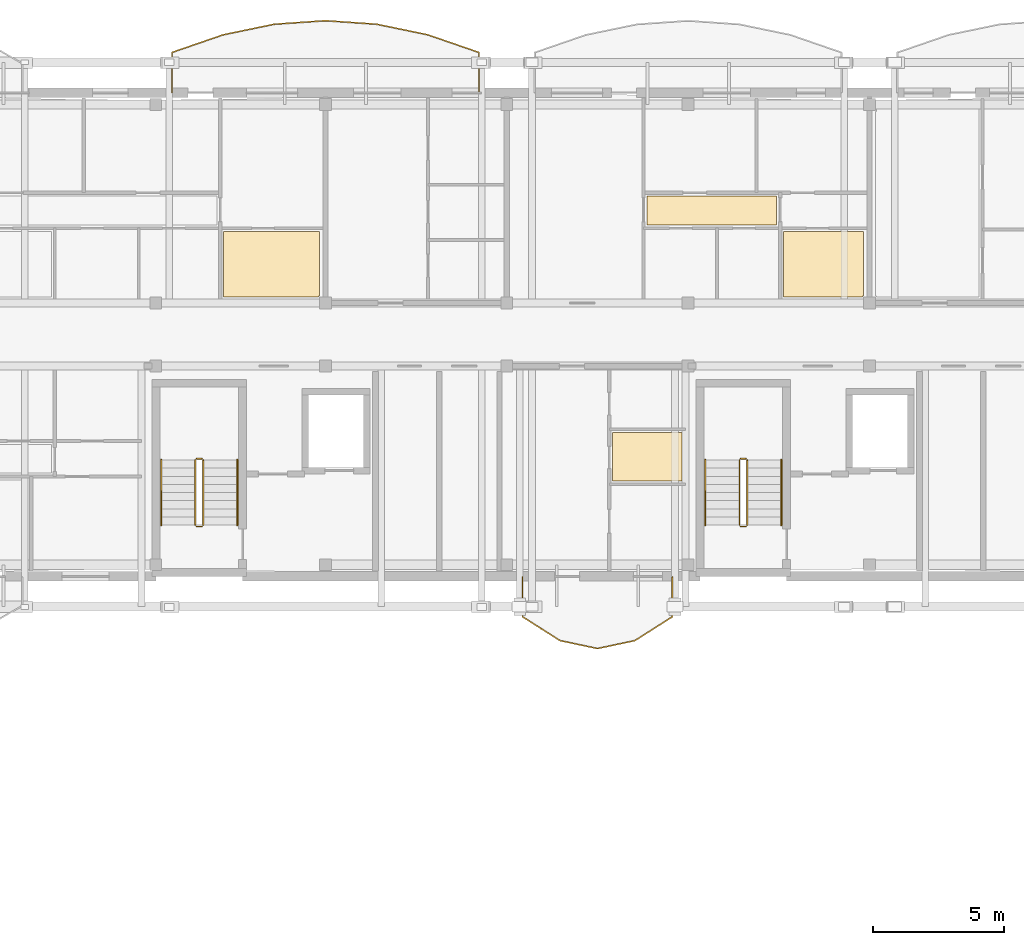
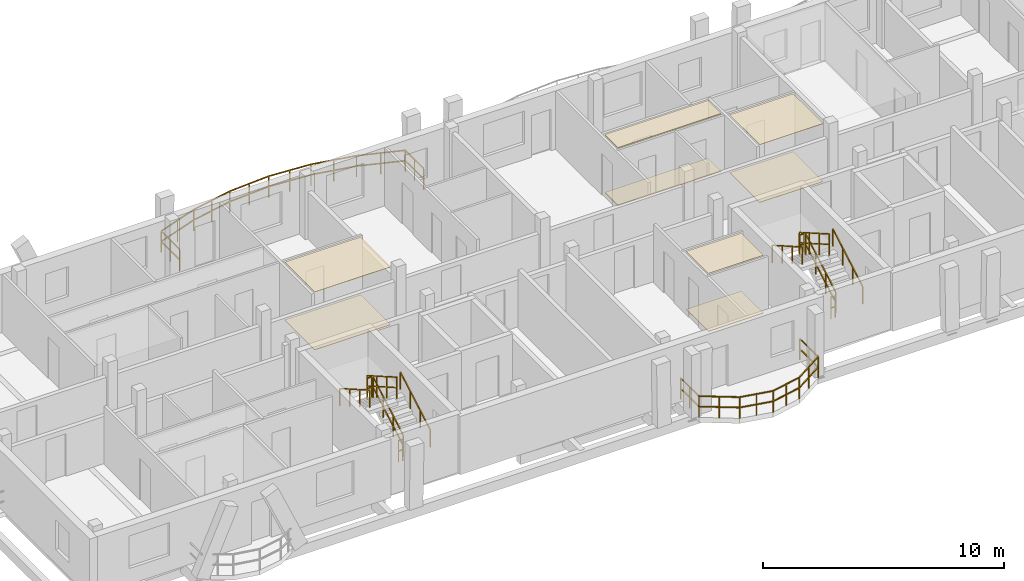
# One storey, part 47 of 48: 14 railings, 8 coverings.
"""IFC4 building model written with IfcOpenShell, lengths in metres."""

from ifc_helpers import new_model, si_unit, direction, frame, origin, origin_2d, place, context, subcontext, project, spatial, polyline, rectangle, outline, extrude, material, layer, layer_set, type_object, element, save


model = new_model("IFC4")

# Units and contexts
model_context = context("Model", 3, precision=1e-05, world=origin(), true_north=direction((0.0, 1.0)))
body_context = subcontext(model_context, "Body", "Model", "MODEL_VIEW")
ifc_project = project(units=[si_unit("LENGTHUNIT", "METRE"), si_unit("AREAUNIT", "SQUARE_METRE"), si_unit("VOLUMEUNIT", "CUBIC_METRE"), si_unit("PLANEANGLEUNIT", "RADIAN"), si_unit("MASSUNIT", "GRAM", prefix="KILO")], contexts=[model_context])

# Site, building, storey
site_placement = place(None, origin())
site = spatial("IfcSite", under=ifc_project, at=site_placement, CompositionType="ELEMENT")
building_placement = place(site_placement, origin())
building = spatial("IfcBuilding", under=site, at=building_placement, Name="Zavelmont Quarter", CompositionType="ELEMENT")
storey_placement = place(building_placement, frame((0.0, 0.0, 17.60009765625)))
storey = spatial("IfcBuildingStorey", under=building, at=storey_placement, Name="L05", CompositionType="ELEMENT", Elevation=17.60009765625)

# Coverings
ifc_material_1 = material(Name="Slatted European ash acoustic baffle ceiling")
ifc_layer_1 = layer(ifc_material_1, 0.0400390625)
ifc_layer_set_1 = layer_set([ifc_layer_1], Name="Slatted European ash acoustic baffle ceiling")
covering_type_1 = type_object("IfcCoveringType", Name="CV-CL02", PredefinedType="CEILING", material=ifc_layer_set_1)
covering_1_placement = place(storey_placement, frame((0.0, 0.0, 2.909912109375)))
element("IfcCovering", 1, at=covering_1_placement, inside=storey, type_object=covering_type_1, Name="L05 Apartment Hall acoustic ceiling", PredefinedType="CEILING", context=body_context, shape_type="SweptSolid", body=[
    extrude(outline(polyline([(145.72998046875, 112.070068359375), (150.669921875, 112.070068359375), (150.669921875, 110.97998046875), (145.72998046875, 110.97998046875), (145.72998046875, 112.070068359375)])), origin(), (0.0, 0.0, 1.0), 0.0400390625),
])
ifc_material_2 = material(Name="Moisture-resistant painted gypsum ceiling")
ifc_layer_2 = layer(ifc_material_2, 0.02001953125)
ifc_layer_set_2 = layer_set([ifc_layer_2], Name="Moisture-resistant painted gypsum ceiling")
covering_type_2 = type_object("IfcCoveringType", Name="CV-CL04", PredefinedType="CEILING", material=ifc_layer_set_2)
covering_2_placement = place(storey_placement, frame((0.0, 0.0, 2.929931640625)))
element("IfcCovering", 2, at=covering_2_placement, inside=storey, type_object=covering_type_2, Name="L05 Bathroom acoustic ceiling", PredefinedType="CEILING", context=body_context, shape_type="SweptSolid", body=[
    extrude(outline(polyline([(129.6298828125, 110.719970703125), (133.27001953125, 110.719970703125), (133.27001953125, 108.264892578125), (133.235107421875, 108.264892578125), (133.235107421875, 108.22998046875), (129.6298828125, 108.22998046875), (129.6298828125, 110.719970703125)])), origin(), (0.0, 0.0, 1.0), 0.02001953125),
])
covering_3_placement = place(storey_placement, frame((0.0, 0.0, 2.929931640625)))
element("IfcCovering", 3, at=covering_3_placement, inside=storey, type_object=covering_type_2, Name="L05 Bathroom acoustic ceiling", PredefinedType="CEILING", context=body_context, shape_type="SweptSolid", body=[
    extrude(outline(polyline([(150.929931640625, 110.719970703125), (153.969970703125, 110.719970703125), (153.969970703125, 108.264892578125), (153.93505859375, 108.264892578125), (153.93505859375, 108.22998046875), (150.929931640625, 108.22998046875), (150.929931640625, 110.719970703125)])), origin(), (0.0, 0.0, 1.0), 0.02001953125),
])
covering_4_placement = place(storey_placement, frame((0.0, 0.0, 2.929931640625)))
element("IfcCovering", 4, at=covering_4_placement, inside=storey, type_object=covering_type_2, Name="L05 Bathroom acoustic ceiling", PredefinedType="CEILING", context=body_context, shape_type="SweptSolid", body=[
    extrude(outline(polyline([(144.429931640625, 103.070068359375), (147.070068359375, 103.070068359375), (147.070068359375, 101.22998046875), (144.429931640625, 101.22998046875), (144.429931640625, 103.070068359375)])), origin(), (0.0, 0.0, 1.0), 0.02001953125),
])
ifc_material_3 = material(Name="Honed Belgian bluestone tile", Category="masonry")
ifc_layer_3 = layer(ifc_material_3, 0.030029296875)
ifc_layer_set_3 = layer_set([ifc_layer_3], Name="Honed Belgian bluestone tile")
covering_type_3 = type_object("IfcCoveringType", Name="CV-FL02", PredefinedType="FLOORING", material=ifc_layer_set_3)
covering_5_placement = place(storey_placement, origin())
element("IfcCovering", 5, at=covering_5_placement, inside=storey, type_object=covering_type_3, Name="L05 Apartment Hall floor finish", PredefinedType="FLOORING", context=body_context, shape_type="SweptSolid", body=[
    extrude(outline(polyline([(145.72998046875, 112.070068359375), (150.669921875, 112.070068359375), (150.669921875, 110.97998046875), (145.72998046875, 110.97998046875), (145.72998046875, 112.070068359375)])), origin(), (0.0, 0.0, 1.0), 0.02978515625),
])
ifc_material_4 = material(Name="Slip-resistant porcelain tile")
ifc_layer_4 = layer(ifc_material_4, 0.02587890625)
ifc_layer_set_4 = layer_set([ifc_layer_4], Name="Slip-resistant porcelain tile")
covering_type_4 = type_object("IfcCoveringType", Name="CV-FL04", PredefinedType="FLOORING", material=ifc_layer_set_4)
covering_6_placement = place(storey_placement, origin())
element("IfcCovering", 6, at=covering_6_placement, inside=storey, type_object=covering_type_4, Name="L05 Bathroom floor finish", PredefinedType="FLOORING", context=body_context, shape_type="SweptSolid", body=[
    extrude(outline(polyline([(129.6298828125, 110.719970703125), (133.27001953125, 110.719970703125), (133.27001953125, 108.264892578125), (133.235107421875, 108.264892578125), (133.235107421875, 108.22998046875), (129.6298828125, 108.22998046875), (129.6298828125, 110.719970703125)])), origin(), (0.0, 0.0, 1.0), 0.02587890625),
])
covering_7_placement = place(storey_placement, origin())
element("IfcCovering", 7, at=covering_7_placement, inside=storey, type_object=covering_type_4, Name="L05 Bathroom floor finish", PredefinedType="FLOORING", context=body_context, shape_type="SweptSolid", body=[
    extrude(outline(polyline([(150.929931640625, 110.719970703125), (153.969970703125, 110.719970703125), (153.969970703125, 108.264892578125), (153.93505859375, 108.264892578125), (153.93505859375, 108.22998046875), (150.929931640625, 108.22998046875), (150.929931640625, 110.719970703125)])), origin(), (0.0, 0.0, 1.0), 0.02587890625),
])
covering_8_placement = place(storey_placement, origin())
element("IfcCovering", 8, at=covering_8_placement, inside=storey, type_object=covering_type_4, Name="L05 Bathroom floor finish", PredefinedType="FLOORING", context=body_context, shape_type="SweptSolid", body=[
    extrude(outline(polyline([(144.429931640625, 103.070068359375), (147.070068359375, 103.070068359375), (147.070068359375, 101.22998046875), (144.429931640625, 101.22998046875), (144.429931640625, 103.070068359375)])), origin(), (0.0, 0.0, 1.0), 0.02587890625),
])

# Railings
ifc_material_5 = material(Name="Powder-coated steel and tempered double safety glass", Category="steel")
railing_type_1 = type_object("IfcRailingType", Name="RL-BAL1", PredefinedType="BALUSTRADE", material=ifc_material_5)
railing_1_placement = place(storey_placement, frame((139.34130859375, 116.02001953125, 0.0)))
element("IfcRailing", 9, at=railing_1_placement, inside=storey, type_object=railing_type_1, Name="L05 Block C curved balcony guard RL-BAL1", PredefinedType="BALUSTRADE", context=body_context, shape_type="SweptSolid", body=[
    extrude(rectangle(XDim=0.048095703125, YDim=0.048095703125, at=origin_2d()), frame((0.0, 0.0, 1.076171875), z_axis=(0.0, 1.0, 0.0), x_axis=(-1.0, 0.0, 0.0)), (0.0, 0.0, 1.0), 1.518310546875),
    extrude(rectangle(XDim=0.048095703125, YDim=0.048095703125, at=origin_2d()), frame((0.0, 0.0, 0.550048828125), z_axis=(0.0, 1.0, 0.0), x_axis=(-1.0, 0.0, 0.0)), (0.0, 0.0, 1.0), 1.518310546875),
    extrude(rectangle(XDim=0.048095703125, YDim=0.048095703125, at=origin_2d()), frame((0.0, 1.518310546875, 1.076171875), z_axis=(-0.945385576966, 0.325954154546, 0.0), x_axis=(-0.325954154546, -0.945385576966, 0.0)), (0.0, 0.0, 1.0), 2.059814453125),
    extrude(rectangle(XDim=0.048095703125, YDim=0.048095703125, at=origin_2d()), frame((0.0, 1.518310546875, 0.550048828125), z_axis=(-0.945385576966, 0.325954154546, 0.0), x_axis=(-0.325954154546, -0.945385576966, 0.0)), (0.0, 0.0, 1.0), 2.059814453125),
    extrude(rectangle(XDim=0.048095703125, YDim=0.048095703125, at=origin_2d()), frame((-1.947265625, 2.189697265625, 1.076171875), z_axis=(-0.979236050797, 0.202723350453, 0.0), x_axis=(-0.202723350453, -0.979236050797, 0.0)), (0.0, 0.0, 1.0), 1.98828125),
    extrude(rectangle(XDim=0.048095703125, YDim=0.048095703125, at=origin_2d()), frame((-1.947265625, 2.189697265625, 0.550048828125), z_axis=(-0.979236050797, 0.202723350453, 0.0), x_axis=(-0.202723350453, -0.979236050797, 0.0)), (0.0, 0.0, 1.0), 1.98828125),
    extrude(rectangle(XDim=0.048095703125, YDim=0.048095703125, at=origin_2d()), frame((-3.894287109375, 2.5927734375, 1.076171875), z_axis=(-0.997630328423, 0.068802091615, 0.0), x_axis=(-0.068802091615, -0.997630328423, 0.0)), (0.0, 0.0, 1.0), 1.95166015625),
    extrude(rectangle(XDim=0.048095703125, YDim=0.048095703125, at=origin_2d()), frame((-3.894287109375, 2.5927734375, 0.550048828125), z_axis=(-0.997630328423, 0.068802091615, 0.0), x_axis=(-0.068802091615, -0.997630328423, 0.0)), (0.0, 0.0, 1.0), 1.95166015625),
    extrude(rectangle(XDim=0.048095703125, YDim=0.048095703125, at=origin_2d()), frame((-5.84130859375, 2.72705078125, 1.076171875), z_axis=(-0.997630328423, -0.068802091615, 0.0), x_axis=(0.068802091615, -0.997630328423, 0.0)), (0.0, 0.0, 1.0), 1.95166015625),
    extrude(rectangle(XDim=0.048095703125, YDim=0.048095703125, at=origin_2d()), frame((-5.84130859375, 2.72705078125, 0.550048828125), z_axis=(-0.997630328423, -0.068802091615, 0.0), x_axis=(0.068802091615, -0.997630328423, 0.0)), (0.0, 0.0, 1.0), 1.95166015625),
    extrude(rectangle(XDim=0.048095703125, YDim=0.048095703125, at=origin_2d()), frame((-7.788330078125, 2.5927734375, 1.076171875), z_axis=(-0.979236050797, -0.202723350453, 0.0), x_axis=(0.202723350453, -0.979236050797, 0.0)), (0.0, 0.0, 1.0), 1.98828125),
    extrude(rectangle(XDim=0.048095703125, YDim=0.048095703125, at=origin_2d()), frame((-7.788330078125, 2.5927734375, 0.550048828125), z_axis=(-0.979236050797, -0.202723350453, 0.0), x_axis=(0.202723350453, -0.979236050797, 0.0)), (0.0, 0.0, 1.0), 1.98828125),
    extrude(rectangle(XDim=0.048095703125, YDim=0.048095703125, at=origin_2d()), frame((-9.7353515625, 2.189697265625, 1.076171875), z_axis=(-0.945385576966, -0.325954154546, 0.0), x_axis=(0.325954154546, -0.945385576966, 0.0)), (0.0, 0.0, 1.0), 2.059814453125),
    extrude(rectangle(XDim=0.048095703125, YDim=0.048095703125, at=origin_2d()), frame((-9.7353515625, 2.189697265625, 0.550048828125), z_axis=(-0.945385576966, -0.325954154546, 0.0), x_axis=(0.325954154546, -0.945385576966, 0.0)), (0.0, 0.0, 1.0), 2.059814453125),
    extrude(rectangle(XDim=0.048095703125, YDim=0.048095703125, at=origin_2d()), frame((-11.6826171875, 1.518310546875, 1.076171875), z_axis=(0.0, -1.0, 0.0), x_axis=(1.0, 0.0, 0.0)), (0.0, 0.0, 1.0), 1.518310546875),
    extrude(rectangle(XDim=0.048095703125, YDim=0.048095703125, at=origin_2d()), frame((-11.6826171875, 1.518310546875, 0.550048828125), z_axis=(0.0, -1.0, 0.0), x_axis=(1.0, 0.0, 0.0)), (0.0, 0.0, 1.0), 1.518310546875),
    extrude(rectangle(XDim=0.0419921875, YDim=0.0419921875, at=origin_2d()), origin(), (0.0, 0.0, 1.0), 1.052001953125),
    extrude(rectangle(XDim=0.0419921875, YDim=0.0419921875, at=origin_2d()), frame((0.0, 0.75927734375, 0.0)), (0.0, 0.0, 1.0), 1.052001953125),
    extrude(rectangle(XDim=0.0419921875, YDim=0.0419921875, at=origin_2d()), frame((0.0, 1.518310546875, 0.0)), (0.0, 0.0, 1.0), 1.052001953125),
    extrude(rectangle(XDim=0.0419921875, YDim=0.0419921875, at=origin_2d()), frame((-0.9736328125, 1.85400390625, 0.0)), (0.0, 0.0, 1.0), 1.052001953125),
    extrude(rectangle(XDim=0.0419921875, YDim=0.0419921875, at=origin_2d()), frame((-1.947265625, 2.189697265625, 0.0)), (0.0, 0.0, 1.0), 1.052001953125),
    extrude(rectangle(XDim=0.0419921875, YDim=0.0419921875, at=origin_2d()), frame((-2.9208984375, 2.39111328125, 0.0)), (0.0, 0.0, 1.0), 1.052001953125),
    extrude(rectangle(XDim=0.0419921875, YDim=0.0419921875, at=origin_2d()), frame((-3.894287109375, 2.5927734375, 0.0)), (0.0, 0.0, 1.0), 1.052001953125),
    extrude(rectangle(XDim=0.0419921875, YDim=0.0419921875, at=origin_2d()), frame((-4.86767578125, 2.659912109375, 0.0)), (0.0, 0.0, 1.0), 1.052001953125),
    extrude(rectangle(XDim=0.0419921875, YDim=0.0419921875, at=origin_2d()), frame((-5.84130859375, 2.72705078125, 0.0)), (0.0, 0.0, 1.0), 1.052001953125),
    extrude(rectangle(XDim=0.0419921875, YDim=0.0419921875, at=origin_2d()), frame((-6.81494140625, 2.659912109375, 0.0)), (0.0, 0.0, 1.0), 1.052001953125),
    extrude(rectangle(XDim=0.0419921875, YDim=0.0419921875, at=origin_2d()), frame((-7.788330078125, 2.5927734375, 0.0)), (0.0, 0.0, 1.0), 1.052001953125),
    extrude(rectangle(XDim=0.0419921875, YDim=0.0419921875, at=origin_2d()), frame((-8.76171875, 2.39111328125, 0.0)), (0.0, 0.0, 1.0), 1.052001953125),
    extrude(rectangle(XDim=0.0419921875, YDim=0.0419921875, at=origin_2d()), frame((-9.7353515625, 2.189697265625, 0.0)), (0.0, 0.0, 1.0), 1.052001953125),
    extrude(rectangle(XDim=0.0419921875, YDim=0.0419921875, at=origin_2d()), frame((-10.708984375, 1.85400390625, 0.0)), (0.0, 0.0, 1.0), 1.052001953125),
    extrude(rectangle(XDim=0.0419921875, YDim=0.0419921875, at=origin_2d()), frame((-11.6826171875, 1.518310546875, 0.0)), (0.0, 0.0, 1.0), 1.052001953125),
    extrude(rectangle(XDim=0.0419921875, YDim=0.0419921875, at=origin_2d()), frame((-11.6826171875, 0.75927734375, 0.0)), (0.0, 0.0, 1.0), 1.052001953125),
    extrude(rectangle(XDim=0.0419921875, YDim=0.0419921875, at=origin_2d()), frame((-11.6826171875, 0.0, 0.0)), (0.0, 0.0, 1.0), 1.052001953125),
])
railing_2_placement = place(storey_placement, frame((141.0, 97.580078125, 0.0)))
element("IfcRailing", 10, at=railing_2_placement, inside=storey, type_object=railing_type_1, Name="L05 Block C curved balcony guard RL-BAL1", PredefinedType="BALUSTRADE", context=body_context, shape_type="SweptSolid", body=[
    extrude(rectangle(XDim=0.048095703125, YDim=0.048095703125, at=origin_2d()), frame((0.0, 0.0, 1.076171875), z_axis=(0.0, -1.0, 0.0), x_axis=(1.0, 0.0, 0.0)), (0.0, 0.0, 1.0), 1.518310546875),
    extrude(rectangle(XDim=0.048095703125, YDim=0.048095703125, at=origin_2d()), frame((0.0, 0.0, 0.550048828125), z_axis=(0.0, -1.0, 0.0), x_axis=(1.0, 0.0, 0.0)), (0.0, 0.0, 1.0), 1.518310546875),
    extrude(rectangle(XDim=0.048095703125, YDim=0.048095703125, at=origin_2d()), frame((0.0, -1.518310546875, 1.076171875), z_axis=(0.843756709472, -0.536725828725, 0.0), x_axis=(0.536725828725, 0.843756709472, 0.0)), (0.0, 0.0, 1.0), 1.68896484375),
    extrude(rectangle(XDim=0.048095703125, YDim=0.048095703125, at=origin_2d()), frame((0.0, -1.518310546875, 0.550048828125), z_axis=(0.843756709472, -0.536725828725, 0.0), x_axis=(0.536725828725, 0.843756709472, 0.0)), (0.0, 0.0, 1.0), 1.68896484375),
    extrude(rectangle(XDim=0.048095703125, YDim=0.048095703125, at=origin_2d()), frame((1.425048828125, -2.4248046875, 1.076171875), z_axis=(0.978239279237, -0.207479908805, 0.0), x_axis=(0.207479908805, 0.978239279237, 0.0)), (0.0, 0.0, 1.0), 1.456787109375),
    extrude(rectangle(XDim=0.048095703125, YDim=0.048095703125, at=origin_2d()), frame((1.425048828125, -2.4248046875, 0.550048828125), z_axis=(0.978239279237, -0.207479908805, 0.0), x_axis=(0.207479908805, 0.978239279237, 0.0)), (0.0, 0.0, 1.0), 1.456787109375),
    extrude(rectangle(XDim=0.048095703125, YDim=0.048095703125, at=origin_2d()), frame((2.85009765625, -2.72705078125, 1.076171875), z_axis=(0.978232062941, 0.207513929733, 0.0), x_axis=(-0.207513929733, 0.978232062941, 0.0)), (0.0, 0.0, 1.0), 1.45654296875),
    extrude(rectangle(XDim=0.048095703125, YDim=0.048095703125, at=origin_2d()), frame((2.85009765625, -2.72705078125, 0.550048828125), z_axis=(0.978232062941, 0.207513929733, 0.0), x_axis=(-0.207513929733, 0.978232062941, 0.0)), (0.0, 0.0, 1.0), 1.45654296875),
    extrude(rectangle(XDim=0.048095703125, YDim=0.048095703125, at=origin_2d()), frame((4.27490234375, -2.4248046875, 1.076171875), z_axis=(0.843756709472, 0.536725828725, 0.0), x_axis=(-0.536725828725, 0.843756709472, 0.0)), (0.0, 0.0, 1.0), 1.68896484375),
    extrude(rectangle(XDim=0.048095703125, YDim=0.048095703125, at=origin_2d()), frame((4.27490234375, -2.4248046875, 0.550048828125), z_axis=(0.843756709472, 0.536725828725, 0.0), x_axis=(-0.536725828725, 0.843756709472, 0.0)), (0.0, 0.0, 1.0), 1.68896484375),
    extrude(rectangle(XDim=0.048095703125, YDim=0.048095703125, at=origin_2d()), frame((5.699951171875, -1.518310546875, 1.076171875), z_axis=(0.0, 1.0, 0.0), x_axis=(-1.0, 0.0, 0.0)), (0.0, 0.0, 1.0), 1.518310546875),
    extrude(rectangle(XDim=0.048095703125, YDim=0.048095703125, at=origin_2d()), frame((5.699951171875, -1.518310546875, 0.550048828125), z_axis=(0.0, 1.0, 0.0), x_axis=(-1.0, 0.0, 0.0)), (0.0, 0.0, 1.0), 1.518310546875),
    extrude(rectangle(XDim=0.0419921875, YDim=0.0419921875, at=origin_2d()), origin(), (0.0, 0.0, 1.0), 1.052001953125),
    extrude(rectangle(XDim=0.0419921875, YDim=0.0419921875, at=origin_2d()), frame((0.0, -0.75927734375, 0.0)), (0.0, 0.0, 1.0), 1.052001953125),
    extrude(rectangle(XDim=0.0419921875, YDim=0.0419921875, at=origin_2d()), frame((0.0, -1.518310546875, 0.0)), (0.0, 0.0, 1.0), 1.052001953125),
    extrude(rectangle(XDim=0.0419921875, YDim=0.0419921875, at=origin_2d()), frame((0.71240234375, -1.9716796875, 0.0)), (0.0, 0.0, 1.0), 1.052001953125),
    extrude(rectangle(XDim=0.0419921875, YDim=0.0419921875, at=origin_2d()), frame((1.425048828125, -2.4248046875, 0.0)), (0.0, 0.0, 1.0), 1.052001953125),
    extrude(rectangle(XDim=0.0419921875, YDim=0.0419921875, at=origin_2d()), frame((2.1376953125, -2.575927734375, 0.0)), (0.0, 0.0, 1.0), 1.052001953125),
    extrude(rectangle(XDim=0.0419921875, YDim=0.0419921875, at=origin_2d()), frame((2.85009765625, -2.72705078125, 0.0)), (0.0, 0.0, 1.0), 1.052001953125),
    extrude(rectangle(XDim=0.0419921875, YDim=0.0419921875, at=origin_2d()), frame((3.5625, -2.575927734375, 0.0)), (0.0, 0.0, 1.0), 1.052001953125),
    extrude(rectangle(XDim=0.0419921875, YDim=0.0419921875, at=origin_2d()), frame((4.27490234375, -2.4248046875, 0.0)), (0.0, 0.0, 1.0), 1.052001953125),
    extrude(rectangle(XDim=0.0419921875, YDim=0.0419921875, at=origin_2d()), frame((4.9873046875, -1.9716796875, 0.0)), (0.0, 0.0, 1.0), 1.052001953125),
    extrude(rectangle(XDim=0.0419921875, YDim=0.0419921875, at=origin_2d()), frame((5.699951171875, -1.518310546875, 0.0)), (0.0, 0.0, 1.0), 1.052001953125),
    extrude(rectangle(XDim=0.0419921875, YDim=0.0419921875, at=origin_2d()), frame((5.699951171875, -0.75927734375, 0.0)), (0.0, 0.0, 1.0), 1.052001953125),
    extrude(rectangle(XDim=0.0419921875, YDim=0.0419921875, at=origin_2d()), frame((5.699951171875, 0.0, 0.0)), (0.0, 0.0, 1.0), 1.052001953125),
])
ifc_material_6 = material(Name="Powder-coated steel stair guardrail", Category="steel")
railing_type_2 = type_object("IfcRailingType", Name="RL-GRD1", PredefinedType="GUARDRAIL", material=ifc_material_6)
railing_3_placement = place(storey_placement, frame((128.85009765625, 99.550048828125, 0.177734375)))
element("IfcRailing", 11, at=railing_3_placement, inside=storey, type_object=railing_type_2, Name="L05 ST05 stair guardrail 1", PredefinedType="GUARDRAIL", context=body_context, shape_type="SweptSolid", body=[
    extrude(rectangle(XDim=0.048095703125, YDim=0.048095703125, at=origin_2d()), frame((0.0, 0.0, 1.076171875), z_axis=(0.0, 0.867490628297, 0.497453525283), x_axis=(-1.0, 0.0, 0.0)), (0.0, 0.0, 1.0), 2.85888671875),
    extrude(rectangle(XDim=0.048095703125, YDim=0.048095703125, at=origin_2d()), frame((0.0, 0.0, 0.550048828125), z_axis=(0.0, 0.867490628297, 0.497453525283), x_axis=(-1.0, 0.0, 0.0)), (0.0, 0.0, 1.0), 2.85888671875),
    extrude(rectangle(XDim=0.0419921875, YDim=0.0419921875, at=origin_2d()), origin(), (0.0, 0.0, 1.0), 1.052001953125),
    extrude(rectangle(XDim=0.0419921875, YDim=0.0419921875, at=origin_2d()), frame((0.0, 0.82666015625, 0.47412109375)), (0.0, 0.0, 1.0), 1.052001953125),
    extrude(rectangle(XDim=0.0419921875, YDim=0.0419921875, at=origin_2d()), frame((0.0, 1.6533203125, 0.947998046875)), (0.0, 0.0, 1.0), 1.052001953125),
    extrude(rectangle(XDim=0.0419921875, YDim=0.0419921875, at=origin_2d()), frame((0.0, 2.47998046875, 1.422119140625)), (0.0, 0.0, 1.0), 1.052001953125),
])
railing_4_placement = place(storey_placement, frame((128.800048828125, 102.080078125, 1.599853515625)))
element("IfcRailing", 12, at=railing_4_placement, inside=storey, type_object=railing_type_2, Name="L05 ST05 stair guardrail 2", PredefinedType="GUARDRAIL", context=body_context, shape_type="SweptSolid", body=[
    extrude(rectangle(XDim=0.048095703125, YDim=0.048095703125, at=origin_2d()), frame((0.0, 0.0, 1.076171875), z_axis=(-1.0, 0.0, 0.0), x_axis=(0.0, -1.0, 0.0)), (0.0, 0.0, 1.0), 0.199951171875),
    extrude(rectangle(XDim=0.048095703125, YDim=0.048095703125, at=origin_2d()), frame((0.0, 0.0, 0.550048828125), z_axis=(-1.0, 0.0, 0.0), x_axis=(0.0, -1.0, 0.0)), (0.0, 0.0, 1.0), 0.199951171875),
    extrude(rectangle(XDim=0.0419921875, YDim=0.0419921875, at=origin_2d()), origin(), (0.0, 0.0, 1.0), 1.052001953125),
    extrude(rectangle(XDim=0.0419921875, YDim=0.0419921875, at=origin_2d()), frame((-0.199951171875, 0.0, 0.0)), (0.0, 0.0, 1.0), 1.052001953125),
])
railing_5_placement = place(storey_placement, frame((128.550048828125, 102.030029296875, 1.777587890625)))
element("IfcRailing", 13, at=railing_5_placement, inside=storey, type_object=railing_type_2, Name="L05 ST05 stair guardrail 3", PredefinedType="GUARDRAIL", context=body_context, shape_type="SweptSolid", body=[
    extrude(rectangle(XDim=0.048095703125, YDim=0.048095703125, at=origin_2d()), frame((0.0, 0.0, 1.076171875), z_axis=(0.0, -0.867453774394, 0.497517787913), x_axis=(1.0, 0.0, 0.0)), (0.0, 0.0, 1.0), 2.85888671875),
    extrude(rectangle(XDim=0.048095703125, YDim=0.048095703125, at=origin_2d()), frame((0.0, 0.0, 0.550048828125), z_axis=(0.0, -0.867453774394, 0.497517787913), x_axis=(1.0, 0.0, 0.0)), (0.0, 0.0, 1.0), 2.85888671875),
    extrude(rectangle(XDim=0.0419921875, YDim=0.0419921875, at=origin_2d()), origin(), (0.0, 0.0, 1.0), 1.052001953125),
    extrude(rectangle(XDim=0.0419921875, YDim=0.0419921875, at=origin_2d()), frame((0.0, -0.82666015625, 0.47412109375)), (0.0, 0.0, 1.0), 1.052001953125),
    extrude(rectangle(XDim=0.0419921875, YDim=0.0419921875, at=origin_2d()), frame((0.0, -1.6533203125, 0.9482421875)), (0.0, 0.0, 1.0), 1.052001953125),
    extrude(rectangle(XDim=0.0419921875, YDim=0.0419921875, at=origin_2d()), frame((0.0, -2.47998046875, 1.42236328125)), (0.0, 0.0, 1.0), 1.052001953125),
])
railing_6_placement = place(storey_placement, frame((128.800048828125, 99.5, 0.0)))
element("IfcRailing", 14, at=railing_6_placement, inside=storey, type_object=railing_type_2, Name="L05 ST05 stair guardrail 4", PredefinedType="GUARDRAIL", context=body_context, shape_type="SweptSolid", body=[
    extrude(rectangle(XDim=0.048095703125, YDim=0.048095703125, at=origin_2d()), frame((0.0, 0.0, 1.076171875), z_axis=(-1.0, 0.0, 0.0), x_axis=(0.0, -1.0, 0.0)), (0.0, 0.0, 1.0), 0.199951171875),
    extrude(rectangle(XDim=0.048095703125, YDim=0.048095703125, at=origin_2d()), frame((0.0, 0.0, 0.550048828125), z_axis=(-1.0, 0.0, 0.0), x_axis=(0.0, -1.0, 0.0)), (0.0, 0.0, 1.0), 0.199951171875),
    extrude(rectangle(XDim=0.0419921875, YDim=0.0419921875, at=origin_2d()), origin(), (0.0, 0.0, 1.0), 1.052001953125),
    extrude(rectangle(XDim=0.0419921875, YDim=0.0419921875, at=origin_2d()), frame((-0.199951171875, 0.0, 0.0)), (0.0, 0.0, 1.0), 1.052001953125),
])
railing_7_placement = place(storey_placement, frame((149.550048828125, 99.550048828125, 0.177734375)))
element("IfcRailing", 15, at=railing_7_placement, inside=storey, type_object=railing_type_2, Name="L05 ST06 stair guardrail 1", PredefinedType="GUARDRAIL", context=body_context, shape_type="SweptSolid", body=[
    extrude(rectangle(XDim=0.048095703125, YDim=0.048095703125, at=origin_2d()), frame((0.0, 0.0, 1.076171875), z_axis=(0.0, 0.867490628297, 0.497453525283), x_axis=(-1.0, 0.0, 0.0)), (0.0, 0.0, 1.0), 2.85888671875),
    extrude(rectangle(XDim=0.048095703125, YDim=0.048095703125, at=origin_2d()), frame((0.0, 0.0, 0.550048828125), z_axis=(0.0, 0.867490628297, 0.497453525283), x_axis=(-1.0, 0.0, 0.0)), (0.0, 0.0, 1.0), 2.85888671875),
    extrude(rectangle(XDim=0.0419921875, YDim=0.0419921875, at=origin_2d()), origin(), (0.0, 0.0, 1.0), 1.052001953125),
    extrude(rectangle(XDim=0.0419921875, YDim=0.0419921875, at=origin_2d()), frame((0.0, 0.82666015625, 0.47412109375)), (0.0, 0.0, 1.0), 1.052001953125),
    extrude(rectangle(XDim=0.0419921875, YDim=0.0419921875, at=origin_2d()), frame((0.0, 1.6533203125, 0.947998046875)), (0.0, 0.0, 1.0), 1.052001953125),
    extrude(rectangle(XDim=0.0419921875, YDim=0.0419921875, at=origin_2d()), frame((0.0, 2.47998046875, 1.422119140625)), (0.0, 0.0, 1.0), 1.052001953125),
])
railing_8_placement = place(storey_placement, frame((149.5, 102.080078125, 1.599853515625)))
element("IfcRailing", 16, at=railing_8_placement, inside=storey, type_object=railing_type_2, Name="L05 ST06 stair guardrail 2", PredefinedType="GUARDRAIL", context=body_context, shape_type="SweptSolid", body=[
    extrude(rectangle(XDim=0.048095703125, YDim=0.048095703125, at=origin_2d()), frame((0.0, 0.0, 1.076171875), z_axis=(-1.0, 0.0, 0.0), x_axis=(0.0, -1.0, 0.0)), (0.0, 0.0, 1.0), 0.199951171875),
    extrude(rectangle(XDim=0.048095703125, YDim=0.048095703125, at=origin_2d()), frame((0.0, 0.0, 0.550048828125), z_axis=(-1.0, 0.0, 0.0), x_axis=(0.0, -1.0, 0.0)), (0.0, 0.0, 1.0), 0.199951171875),
    extrude(rectangle(XDim=0.0419921875, YDim=0.0419921875, at=origin_2d()), origin(), (0.0, 0.0, 1.0), 1.052001953125),
    extrude(rectangle(XDim=0.0419921875, YDim=0.0419921875, at=origin_2d()), frame((-0.199951171875, 0.0, 0.0)), (0.0, 0.0, 1.0), 1.052001953125),
])
railing_9_placement = place(storey_placement, frame((149.25, 102.030029296875, 1.777587890625)))
element("IfcRailing", 17, at=railing_9_placement, inside=storey, type_object=railing_type_2, Name="L05 ST06 stair guardrail 3", PredefinedType="GUARDRAIL", context=body_context, shape_type="SweptSolid", body=[
    extrude(rectangle(XDim=0.048095703125, YDim=0.048095703125, at=origin_2d()), frame((0.0, 0.0, 1.076171875), z_axis=(0.0, -0.867453774394, 0.497517787913), x_axis=(1.0, 0.0, 0.0)), (0.0, 0.0, 1.0), 2.85888671875),
    extrude(rectangle(XDim=0.048095703125, YDim=0.048095703125, at=origin_2d()), frame((0.0, 0.0, 0.550048828125), z_axis=(0.0, -0.867453774394, 0.497517787913), x_axis=(1.0, 0.0, 0.0)), (0.0, 0.0, 1.0), 2.85888671875),
    extrude(rectangle(XDim=0.0419921875, YDim=0.0419921875, at=origin_2d()), origin(), (0.0, 0.0, 1.0), 1.052001953125),
    extrude(rectangle(XDim=0.0419921875, YDim=0.0419921875, at=origin_2d()), frame((0.0, -0.82666015625, 0.47412109375)), (0.0, 0.0, 1.0), 1.052001953125),
    extrude(rectangle(XDim=0.0419921875, YDim=0.0419921875, at=origin_2d()), frame((0.0, -1.6533203125, 0.9482421875)), (0.0, 0.0, 1.0), 1.052001953125),
    extrude(rectangle(XDim=0.0419921875, YDim=0.0419921875, at=origin_2d()), frame((0.0, -2.47998046875, 1.42236328125)), (0.0, 0.0, 1.0), 1.052001953125),
])
railing_10_placement = place(storey_placement, frame((149.5, 99.5, 0.0)))
element("IfcRailing", 18, at=railing_10_placement, inside=storey, type_object=railing_type_2, Name="L05 ST06 stair guardrail 4", PredefinedType="GUARDRAIL", context=body_context, shape_type="SweptSolid", body=[
    extrude(rectangle(XDim=0.048095703125, YDim=0.048095703125, at=origin_2d()), frame((0.0, 0.0, 1.076171875), z_axis=(-1.0, 0.0, 0.0), x_axis=(0.0, -1.0, 0.0)), (0.0, 0.0, 1.0), 0.199951171875),
    extrude(rectangle(XDim=0.048095703125, YDim=0.048095703125, at=origin_2d()), frame((0.0, 0.0, 0.550048828125), z_axis=(-1.0, 0.0, 0.0), x_axis=(0.0, -1.0, 0.0)), (0.0, 0.0, 1.0), 0.199951171875),
    extrude(rectangle(XDim=0.0419921875, YDim=0.0419921875, at=origin_2d()), origin(), (0.0, 0.0, 1.0), 1.052001953125),
    extrude(rectangle(XDim=0.0419921875, YDim=0.0419921875, at=origin_2d()), frame((-0.199951171875, 0.0, 0.0)), (0.0, 0.0, 1.0), 1.052001953125),
])
ifc_material_7 = material(Name="Brushed stainless-steel wall handrail", Category="steel")
railing_type_3 = type_object("IfcRailingType", Name="RL-HND1", PredefinedType="HANDRAIL", material=ifc_material_7)
railing_11_placement = place(storey_placement, frame((130.14990234375, 99.550048828125, 0.177734375)))
element("IfcRailing", 19, at=railing_11_placement, inside=storey, type_object=railing_type_3, Name="L05 ST05 stair handrail 1", PredefinedType="HANDRAIL", context=body_context, shape_type="SweptSolid", body=[
    extrude(rectangle(XDim=0.048095703125, YDim=0.048095703125, at=origin_2d()), frame((0.0, 0.0, 0.8759765625), z_axis=(0.0, 0.867490628297, 0.497453525283), x_axis=(-1.0, 0.0, 0.0)), (0.0, 0.0, 1.0), 2.85888671875),
    extrude(rectangle(XDim=0.0419921875, YDim=0.0419921875, at=origin_2d()), origin(), (0.0, 0.0, 1.0), 0.851806640625),
    extrude(rectangle(XDim=0.0419921875, YDim=0.0419921875, at=origin_2d()), frame((0.0, 0.82666015625, 0.47412109375)), (0.0, 0.0, 1.0), 0.851806640625),
    extrude(rectangle(XDim=0.0419921875, YDim=0.0419921875, at=origin_2d()), frame((0.0, 1.6533203125, 0.947998046875)), (0.0, 0.0, 1.0), 0.851806640625),
    extrude(rectangle(XDim=0.0419921875, YDim=0.0419921875, at=origin_2d()), frame((0.0, 2.47998046875, 1.422119140625)), (0.0, 0.0, 1.0), 0.851806640625),
])
railing_12_placement = place(storey_placement, frame((127.25, 102.030029296875, 1.777587890625)))
element("IfcRailing", 20, at=railing_12_placement, inside=storey, type_object=railing_type_3, Name="L05 ST05 stair handrail 2", PredefinedType="HANDRAIL", context=body_context, shape_type="SweptSolid", body=[
    extrude(rectangle(XDim=0.048095703125, YDim=0.048095703125, at=origin_2d()), frame((0.0, 0.0, 0.8759765625), z_axis=(0.0, -0.867453774394, 0.497517787913), x_axis=(1.0, 0.0, 0.0)), (0.0, 0.0, 1.0), 2.85888671875),
    extrude(rectangle(XDim=0.0419921875, YDim=0.0419921875, at=origin_2d()), origin(), (0.0, 0.0, 1.0), 0.851806640625),
    extrude(rectangle(XDim=0.0419921875, YDim=0.0419921875, at=origin_2d()), frame((0.0, -0.82666015625, 0.47412109375)), (0.0, 0.0, 1.0), 0.851806640625),
    extrude(rectangle(XDim=0.0419921875, YDim=0.0419921875, at=origin_2d()), frame((0.0, -1.6533203125, 0.9482421875)), (0.0, 0.0, 1.0), 0.851806640625),
    extrude(rectangle(XDim=0.0419921875, YDim=0.0419921875, at=origin_2d()), frame((0.0, -2.47998046875, 1.42236328125)), (0.0, 0.0, 1.0), 0.851806640625),
])
railing_13_placement = place(storey_placement, frame((150.85009765625, 99.550048828125, 0.177734375)))
element("IfcRailing", 21, at=railing_13_placement, inside=storey, type_object=railing_type_3, Name="L05 ST06 stair handrail 1", PredefinedType="HANDRAIL", context=body_context, shape_type="SweptSolid", body=[
    extrude(rectangle(XDim=0.048095703125, YDim=0.048095703125, at=origin_2d()), frame((0.0, 0.0, 0.8759765625), z_axis=(0.0, 0.867490628297, 0.497453525283), x_axis=(-1.0, 0.0, 0.0)), (0.0, 0.0, 1.0), 2.85888671875),
    extrude(rectangle(XDim=0.0419921875, YDim=0.0419921875, at=origin_2d()), origin(), (0.0, 0.0, 1.0), 0.851806640625),
    extrude(rectangle(XDim=0.0419921875, YDim=0.0419921875, at=origin_2d()), frame((0.0, 0.82666015625, 0.47412109375)), (0.0, 0.0, 1.0), 0.851806640625),
    extrude(rectangle(XDim=0.0419921875, YDim=0.0419921875, at=origin_2d()), frame((0.0, 1.6533203125, 0.947998046875)), (0.0, 0.0, 1.0), 0.851806640625),
    extrude(rectangle(XDim=0.0419921875, YDim=0.0419921875, at=origin_2d()), frame((0.0, 2.47998046875, 1.422119140625)), (0.0, 0.0, 1.0), 0.851806640625),
])
railing_14_placement = place(storey_placement, frame((147.949951171875, 102.030029296875, 1.777587890625)))
element("IfcRailing", 22, at=railing_14_placement, inside=storey, type_object=railing_type_3, Name="L05 ST06 stair handrail 2", PredefinedType="HANDRAIL", context=body_context, shape_type="SweptSolid", body=[
    extrude(rectangle(XDim=0.048095703125, YDim=0.048095703125, at=origin_2d()), frame((0.0, 0.0, 0.8759765625), z_axis=(0.0, -0.867453774394, 0.497517787913), x_axis=(1.0, 0.0, 0.0)), (0.0, 0.0, 1.0), 2.85888671875),
    extrude(rectangle(XDim=0.0419921875, YDim=0.0419921875, at=origin_2d()), origin(), (0.0, 0.0, 1.0), 0.851806640625),
    extrude(rectangle(XDim=0.0419921875, YDim=0.0419921875, at=origin_2d()), frame((0.0, -0.82666015625, 0.47412109375)), (0.0, 0.0, 1.0), 0.851806640625),
    extrude(rectangle(XDim=0.0419921875, YDim=0.0419921875, at=origin_2d()), frame((0.0, -1.6533203125, 0.9482421875)), (0.0, 0.0, 1.0), 0.851806640625),
    extrude(rectangle(XDim=0.0419921875, YDim=0.0419921875, at=origin_2d()), frame((0.0, -2.47998046875, 1.42236328125)), (0.0, 0.0, 1.0), 0.851806640625),
])

save(model, "model.ifc")
